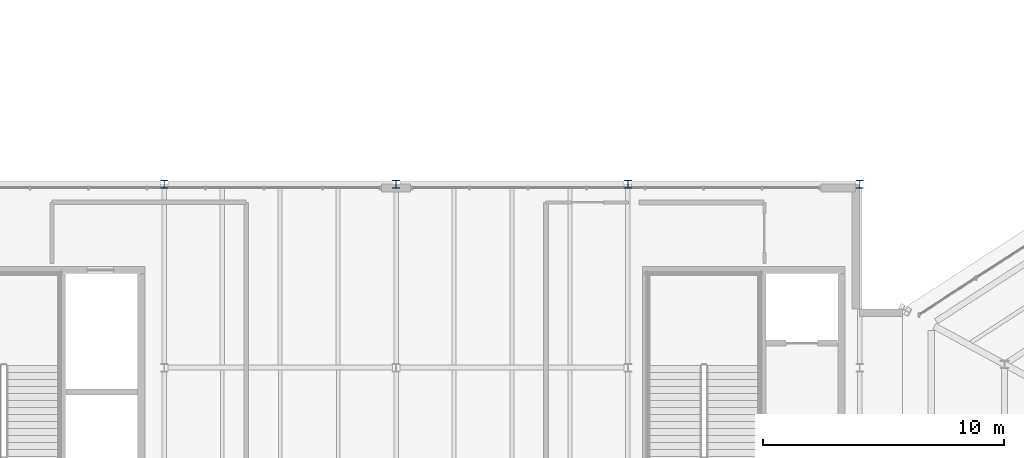
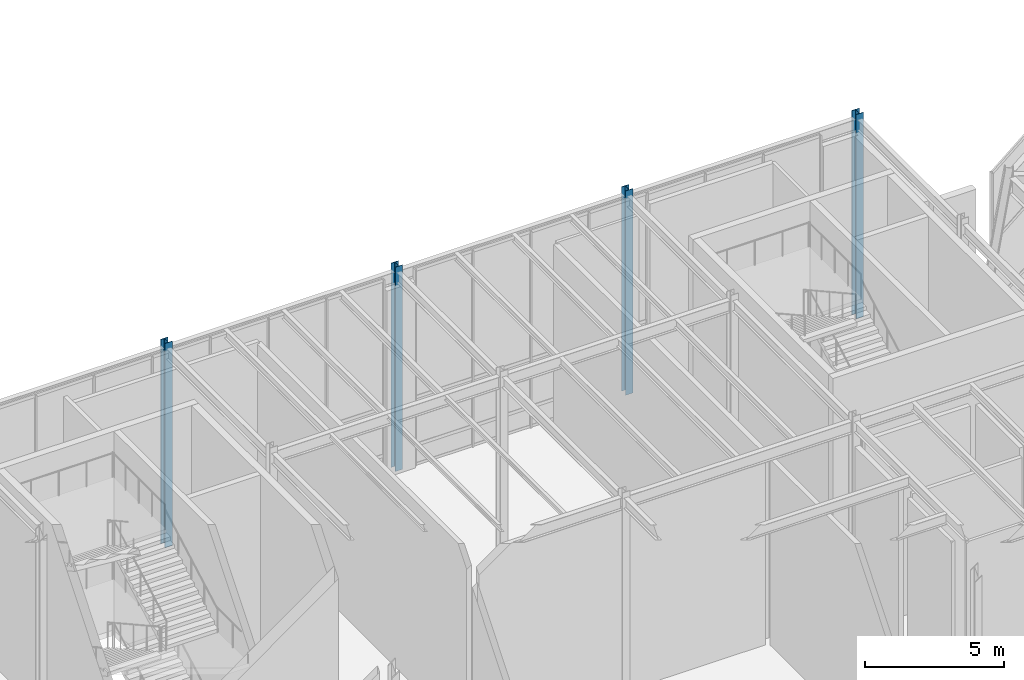
# One storey, part 7 of 48: 4 columns.
"""IFC4 building model written with IfcOpenShell, lengths in metres."""

from ifc_helpers import new_model, si_unit, direction, frame, origin, origin_2d, place, context, subcontext, project, spatial, i_section, extrude, material, material_profile, profile_set, type_object, element, save


model = new_model("IFC4")

# Units and contexts
model_context = context("Model", 3, precision=1e-05, world=origin(), true_north=direction((0.0, 1.0)))
body_context = subcontext(model_context, "Body", "Model", "MODEL_VIEW")
ifc_project = project(units=[si_unit("LENGTHUNIT", "METRE"), si_unit("AREAUNIT", "SQUARE_METRE"), si_unit("VOLUMEUNIT", "CUBIC_METRE"), si_unit("PLANEANGLEUNIT", "RADIAN"), si_unit("MASSUNIT", "GRAM", prefix="KILO")], contexts=[model_context])

# Site, building, storey
site_placement = place(None, origin())
site = spatial("IfcSite", under=ifc_project, at=site_placement, CompositionType="ELEMENT")
building_placement = place(site_placement, origin())
building = spatial("IfcBuilding", under=site, at=building_placement, Name="Sarnbrook Museum", CompositionType="ELEMENT")
storey_placement = place(building_placement, frame((0.0, 0.0, 19.10009765625)))
storey = spatial("IfcBuildingStorey", under=building, at=storey_placement, Name="L04", CompositionType="ELEMENT", Elevation=19.10009765625)

# Columns
ifc_material = material(Name="Structural Steel Grade 300PLUS (AS/NZS 3679.1, fy = 280 MPa for 17 < t <= 40 mm, 300 MPa for t <= 17 mm)", Category="steel")
ifc_material_profile = material_profile(ifc_material, i_section(OverallWidth=0.306884765625, OverallDepth=0.31494140625, WebThickness=0.011962890625, FlangeThickness=0.018798828125, FilletRadius=0.0166015625, at=origin_2d()), Name="310UC118")
ifc_profile_set = profile_set([ifc_material_profile], Name="Structural Steel Grade 300PLUS (AS/NZS 3679.1, fy = 280 MPa for 17 < t <= 40 mm, 300 MPa for t <= 17 mm)")
column_type = type_object("IfcColumnType", Name="COL-UC310", PredefinedType="COLUMN", material=ifc_profile_set)
for number, where, z_axis, x_axis, name in (
    (1, (90.39990234375, 108.39990234375, 0.0), (0.0, 0.0, 1.0), (1.0, 0.0, 0.0), "Column 10-N L04"),
    (2, (100.0, 108.39990234375, 0.0), (0.0, 0.0, 1.0), (1.0, 0.0, 0.0), "Column 11-N L04"),
    (3, (109.60009765625, 108.39990234375, 0.0), (0.0, 0.0, 1.0), (1.0, 0.0, 0.0), "Column 12-N L04"),
    (4, (119.199951171875, 108.39990234375, 0.0), (0.0, 0.0, 1.0), (1.0, 0.0, 0.0), "Column 13-N L04"),
):
    element("IfcColumn", number, at=place(storey_placement, frame(where, z_axis=z_axis, x_axis=x_axis)), inside=storey, type_object=column_type, Name=name, PredefinedType="COLUMN", context=body_context, shape_type="SweptSolid", body=[
        extrude(i_section(OverallWidth=0.306884765625, OverallDepth=0.31494140625, WebThickness=0.011962890625, FlangeThickness=0.018798828125, FilletRadius=0.0166015625, at=origin_2d()), origin(), (0.0, 0.0, 1.0), 9.0),
    ])

save(model, "model.ifc")
